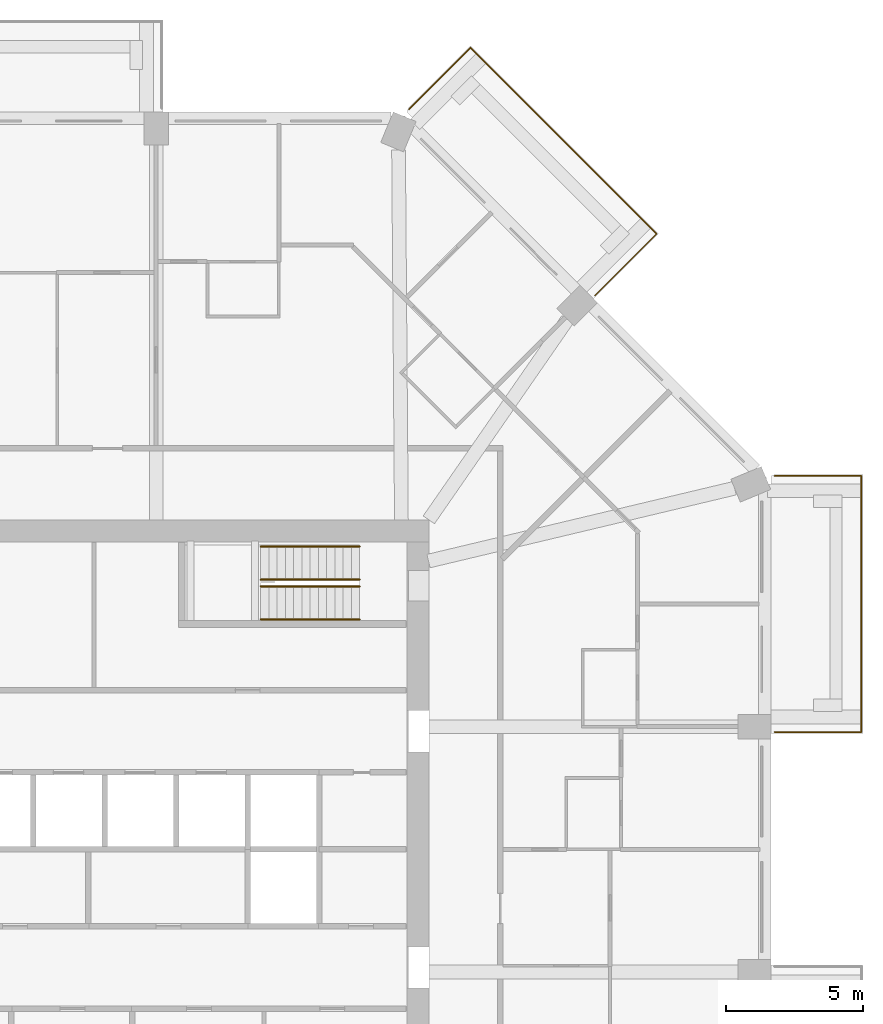
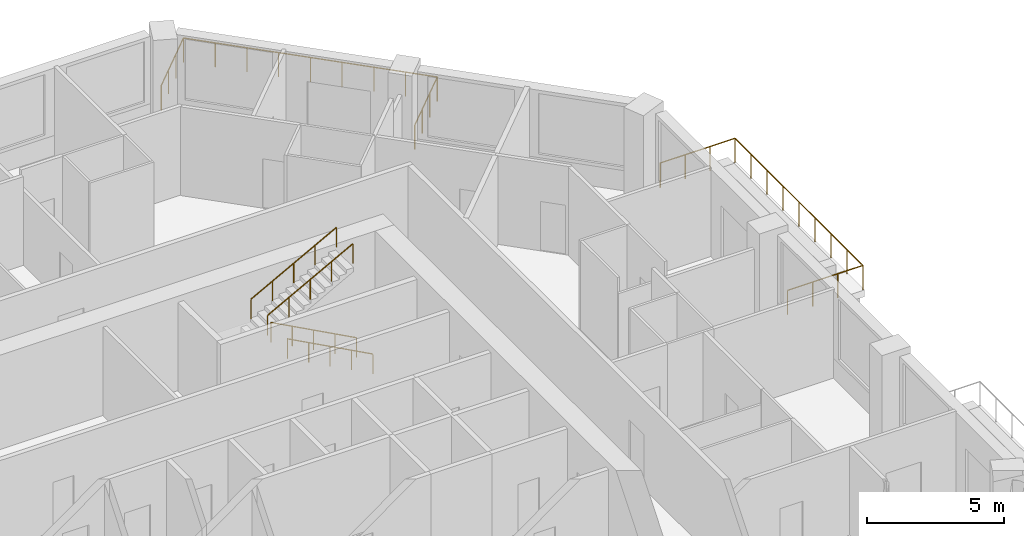
# One storey, part 13 of 13: 6 railings.
"""IFC4 building model written with IfcOpenShell, lengths in metres."""

from ifc_helpers import new_model, si_unit, direction, frame, origin, origin_2d, place, context, subcontext, project, spatial, circle, extrude, material, constituent, constituent_set, type_object, element, save


model = new_model("IFC4")

# Units and contexts
model_context = context("Model", 3, precision=1e-05, world=origin(), true_north=direction((0.0, 1.0)))
body_context = subcontext(model_context, "Body", "Model", "MODEL_VIEW")
ifc_project = project(units=[si_unit("LENGTHUNIT", "METRE"), si_unit("AREAUNIT", "SQUARE_METRE"), si_unit("VOLUMEUNIT", "CUBIC_METRE"), si_unit("PLANEANGLEUNIT", "RADIAN"), si_unit("MASSUNIT", "GRAM", prefix="KILO")], contexts=[model_context])

# Site, building, storey
site_placement = place(None, origin())
site = spatial("IfcSite", under=ifc_project, at=site_placement, CompositionType="ELEMENT")
building_placement = place(site_placement, origin())
building = spatial("IfcBuilding", under=site, at=building_placement, Name="Msitu Wima Residences", CompositionType="ELEMENT")
storey_placement = place(building_placement, frame((0.0, 0.0, 140.10009765625)))
storey = spatial("IfcBuildingStorey", under=building, at=storey_placement, Name="L32", CompositionType="ELEMENT", Elevation=140.10009765625)

# Railings
ifc_material_1 = material(Name="Steel S355", Category="steel")
ifc_constituent_1 = constituent(ifc_material_1, Name="Steel S355")
ifc_material_2 = material(Name="Weathering patina")
ifc_constituent_2 = constituent(ifc_material_2, Name="Weathering patina")
ifc_constituent_set_1 = constituent_set(constituents=[ifc_constituent_1, ifc_constituent_2], Name="Steel S355")
railing_type_1 = type_object("IfcRailingType", Name="Balcony guard GR1100", PredefinedType="GUARDRAIL", material=ifc_constituent_set_1)
railing_1_placement = place(storey_placement, frame((26.97998046875, 13.592041015625, 0.0)))
element("IfcRailing", 1, at=railing_1_placement, inside=storey, type_object=railing_type_1, Name="Balcony guard E2 L32", PredefinedType="GUARDRAIL", context=body_context, shape_type="SweptSolid", body=[
    extrude(circle(Radius=0.02392578125, at=origin_2d()), frame((0.0, 0.0, 1.076171875), z_axis=(0.923276184907, 0.384136806859, 0.0), x_axis=(-0.384136806859, 0.923276184907, 0.0)), (0.0, 0.0, 1.0), 0.0361328125),
    extrude(circle(Radius=0.02392578125, at=origin_2d()), frame((0.033447265625, 0.013916015625, 1.076171875), z_axis=(1.0, 0.0, 0.0), x_axis=(0.0, 1.0, 0.0)), (0.0, 0.0, 1.0), 3.136474609375),
    extrude(circle(Radius=0.02392578125, at=origin_2d()), frame((3.169921875, 0.013916015625, 1.076171875), z_axis=(0.0, -1.0, 0.0), x_axis=(1.0, 0.0, 0.0)), (0.0, 0.0, 1.0), 9.33740234375),
    extrude(circle(Radius=0.02392578125, at=origin_2d()), frame((3.169921875, -9.323486328125, 1.076171875), z_axis=(-1.0, 0.0, 0.0), x_axis=(0.0, -1.0, 0.0)), (0.0, 0.0, 1.0), 3.169921875),
    extrude(circle(Radius=0.02099609375, at=origin_2d()), origin(), (0.0, 0.0, 1.0), 1.052001953125),
    extrude(circle(Radius=0.02099609375, at=origin_2d()), frame((0.033447265625, 0.013916015625, 0.0)), (0.0, 0.0, 1.0), 1.052001953125),
    extrude(circle(Radius=0.02099609375, at=origin_2d()), frame((1.078857421875, 0.013916015625, 0.0)), (0.0, 0.0, 1.0), 1.052001953125),
    extrude(circle(Radius=0.02099609375, at=origin_2d()), frame((2.12451171875, 0.013916015625, 0.0)), (0.0, 0.0, 1.0), 1.052001953125),
    extrude(circle(Radius=0.02099609375, at=origin_2d()), frame((3.169921875, 0.013916015625, 0.0)), (0.0, 0.0, 1.0), 1.052001953125),
    extrude(circle(Radius=0.02099609375, at=origin_2d()), frame((3.169921875, -1.1533203125, 0.0)), (0.0, 0.0, 1.0), 1.052001953125),
    extrude(circle(Radius=0.02099609375, at=origin_2d()), frame((3.169921875, -2.3203125, 0.0)), (0.0, 0.0, 1.0), 1.052001953125),
    extrude(circle(Radius=0.02099609375, at=origin_2d()), frame((3.169921875, -3.487548828125, 0.0)), (0.0, 0.0, 1.0), 1.052001953125),
    extrude(circle(Radius=0.02099609375, at=origin_2d()), frame((3.169921875, -4.65478515625, 0.0)), (0.0, 0.0, 1.0), 1.052001953125),
    extrude(circle(Radius=0.02099609375, at=origin_2d()), frame((3.169921875, -5.822021484375, 0.0)), (0.0, 0.0, 1.0), 1.052001953125),
    extrude(circle(Radius=0.02099609375, at=origin_2d()), frame((3.169921875, -6.9892578125, 0.0)), (0.0, 0.0, 1.0), 1.052001953125),
    extrude(circle(Radius=0.02099609375, at=origin_2d()), frame((3.169921875, -8.15625, 0.0)), (0.0, 0.0, 1.0), 1.052001953125),
    extrude(circle(Radius=0.02099609375, at=origin_2d()), frame((3.169921875, -9.323486328125, 0.0)), (0.0, 0.0, 1.0), 1.052001953125),
    extrude(circle(Radius=0.02099609375, at=origin_2d()), frame((2.11328125, -9.323486328125, 0.0)), (0.0, 0.0, 1.0), 1.052001953125),
    extrude(circle(Radius=0.02099609375, at=origin_2d()), frame((1.056640625, -9.323486328125, 0.0)), (0.0, 0.0, 1.0), 1.052001953125),
    extrude(circle(Radius=0.02099609375, at=origin_2d()), frame((0.0, -9.323486328125, 0.0)), (0.0, 0.0, 1.0), 1.052001953125),
])
railing_2_placement = place(storey_placement, frame((13.684326171875, 26.941650390625, 0.0)))
element("IfcRailing", 2, at=railing_2_placement, inside=storey, type_object=railing_type_1, Name="Balcony guard NE1 L32", PredefinedType="GUARDRAIL", context=body_context, shape_type="SweptSolid", body=[
    extrude(circle(Radius=0.02392578125, at=origin_2d()), frame((0.0, 0.0, 1.076171875), z_axis=(0.38176015442, 0.92426142649, 0.0), x_axis=(-0.92426142649, 0.38176015442, 0.0)), (0.0, 0.0, 1.0), 0.036376953125),
    extrude(circle(Radius=0.02392578125, at=origin_2d()), frame((0.013916015625, 0.03369140625, 1.076171875), z_axis=(0.707106781187, 0.707106781187, 0.0), x_axis=(-0.707106781187, 0.707106781187, 0.0)), (0.0, 0.0, 1.0), 3.136474609375),
    extrude(circle(Radius=0.02392578125, at=origin_2d()), frame((2.231689453125, 2.25146484375, 1.076171875), z_axis=(0.707106781187, -0.707106781187, 0.0), x_axis=(0.707106781187, 0.707106781187, 0.0)), (0.0, 0.0, 1.0), 9.58837890625),
    extrude(circle(Radius=0.02392578125, at=origin_2d()), frame((9.01171875, -4.528564453125, 1.076171875), z_axis=(-0.707106781187, -0.707106781187, 0.0), x_axis=(0.707106781187, -0.707106781187, 0.0)), (0.0, 0.0, 1.0), 3.169921875),
    extrude(circle(Radius=0.02099609375, at=origin_2d()), origin(), (0.0, 0.0, 1.0), 1.052001953125),
    extrude(circle(Radius=0.02099609375, at=origin_2d()), frame((0.013916015625, 0.03369140625, 0.0)), (0.0, 0.0, 1.0), 1.052001953125),
    extrude(circle(Radius=0.02099609375, at=origin_2d()), frame((0.753173828125, 0.77294921875, 0.0)), (0.0, 0.0, 1.0), 1.052001953125),
    extrude(circle(Radius=0.02099609375, at=origin_2d()), frame((1.492431640625, 1.51220703125, 0.0)), (0.0, 0.0, 1.0), 1.052001953125),
    extrude(circle(Radius=0.02099609375, at=origin_2d()), frame((2.231689453125, 2.25146484375, 0.0)), (0.0, 0.0, 1.0), 1.052001953125),
    extrude(circle(Radius=0.02099609375, at=origin_2d()), frame((3.0791015625, 1.404052734375, 0.0)), (0.0, 0.0, 1.0), 1.052001953125),
    extrude(circle(Radius=0.02099609375, at=origin_2d()), frame((3.9267578125, 0.556396484375, 0.0)), (0.0, 0.0, 1.0), 1.052001953125),
    extrude(circle(Radius=0.02099609375, at=origin_2d()), frame((4.774169921875, -0.291015625, 0.0)), (0.0, 0.0, 1.0), 1.052001953125),
    extrude(circle(Radius=0.02099609375, at=origin_2d()), frame((5.62158203125, -1.138671875, 0.0)), (0.0, 0.0, 1.0), 1.052001953125),
    extrude(circle(Radius=0.02099609375, at=origin_2d()), frame((6.46923828125, -1.986083984375, 0.0)), (0.0, 0.0, 1.0), 1.052001953125),
    extrude(circle(Radius=0.02099609375, at=origin_2d()), frame((7.316650390625, -2.83349609375, 0.0)), (0.0, 0.0, 1.0), 1.052001953125),
    extrude(circle(Radius=0.02099609375, at=origin_2d()), frame((8.164306640625, -3.68115234375, 0.0)), (0.0, 0.0, 1.0), 1.052001953125),
    extrude(circle(Radius=0.02099609375, at=origin_2d()), frame((9.01171875, -4.528564453125, 0.0)), (0.0, 0.0, 1.0), 1.052001953125),
    extrude(circle(Radius=0.02099609375, at=origin_2d()), frame((8.2646484375, -5.275634765625, 0.0)), (0.0, 0.0, 1.0), 1.052001953125),
    extrude(circle(Radius=0.02099609375, at=origin_2d()), frame((7.517333984375, -6.02294921875, 0.0)), (0.0, 0.0, 1.0), 1.052001953125),
    extrude(circle(Radius=0.02099609375, at=origin_2d()), frame((6.770263671875, -6.77001953125, 0.0)), (0.0, 0.0, 1.0), 1.052001953125),
])
ifc_constituent_3 = constituent(ifc_material_1, Name="Steel S355")
ifc_material_3 = material(Name="Black powder coating")
ifc_constituent_4 = constituent(ifc_material_3, Name="Black powder coating")
ifc_constituent_set_2 = constituent_set(constituents=[ifc_constituent_3, ifc_constituent_4], Name="Steel S355")
railing_type_2 = type_object("IfcRailingType", Name="Stair handrail HR1", PredefinedType="HANDRAIL", material=ifc_constituent_set_2)
for number, where, name in (
    (3, (11.875, 8.375, 0.161376953125), "Stair 3 handrail"),
    (4, (11.875, 9.574951171875, 0.161376953125), "Stair 3 handrail"),
):
    element("IfcRailing", number, at=place(storey_placement, frame(where)), inside=storey, type_object=railing_type_2, Name=name, PredefinedType="HANDRAIL", context=body_context, shape_type="SweptSolid", body=[
        extrude(circle(Radius=0.02392578125, at=origin_2d()), frame((0.0, 0.0, 0.8759765625), z_axis=(-0.880474934443, 0.0, 0.474092701714), x_axis=(0.0, -1.0, 0.0)), (0.0, 0.0, 1.0), 4.0888671875),
        extrude(circle(Radius=0.02099609375, at=origin_2d()), origin(), (0.0, 0.0, 1.0), 0.851806640625),
        extrude(circle(Radius=0.02099609375, at=origin_2d()), frame((-0.89990234375, 0.0, 0.484619140625)), (0.0, 0.0, 1.0), 0.851806640625),
        extrude(circle(Radius=0.02099609375, at=origin_2d()), frame((-1.800048828125, 0.0, 0.96923828125)), (0.0, 0.0, 1.0), 0.851806640625),
        extrude(circle(Radius=0.02099609375, at=origin_2d()), frame((-2.7001953125, 0.0, 1.453857421875)), (0.0, 0.0, 1.0), 0.851806640625),
        extrude(circle(Radius=0.02099609375, at=origin_2d()), frame((-3.60009765625, 0.0, 1.9384765625)), (0.0, 0.0, 1.0), 0.851806640625),
    ])
for number, where, name in (
    (5, (8.27490234375, 9.824951171875, 2.261474609375), "Stair 3 handrail"),
    (6, (8.27490234375, 11.02490234375, 2.261474609375), "Stair 3 handrail"),
):
    element("IfcRailing", number, at=place(storey_placement, frame(where)), inside=storey, type_object=railing_type_2, Name=name, PredefinedType="HANDRAIL", context=body_context, shape_type="SweptSolid", body=[
        extrude(circle(Radius=0.02392578125, at=origin_2d()), frame((0.0, 0.0, 0.8759765625), z_axis=(0.880474934443, 0.0, 0.474092701714), x_axis=(0.0, 1.0, 0.0)), (0.0, 0.0, 1.0), 4.0888671875),
        extrude(circle(Radius=0.02099609375, at=origin_2d()), origin(), (0.0, 0.0, 1.0), 0.851806640625),
        extrude(circle(Radius=0.02099609375, at=origin_2d()), frame((0.89990234375, 0.0, 0.484619140625)), (0.0, 0.0, 1.0), 0.851806640625),
        extrude(circle(Radius=0.02099609375, at=origin_2d()), frame((1.800048828125, 0.0, 0.96923828125)), (0.0, 0.0, 1.0), 0.851806640625),
        extrude(circle(Radius=0.02099609375, at=origin_2d()), frame((2.7001953125, 0.0, 1.453857421875)), (0.0, 0.0, 1.0), 0.851806640625),
        extrude(circle(Radius=0.02099609375, at=origin_2d()), frame((3.60009765625, 0.0, 1.9384765625)), (0.0, 0.0, 1.0), 0.851806640625),
    ])

save(model, "model.ifc")
